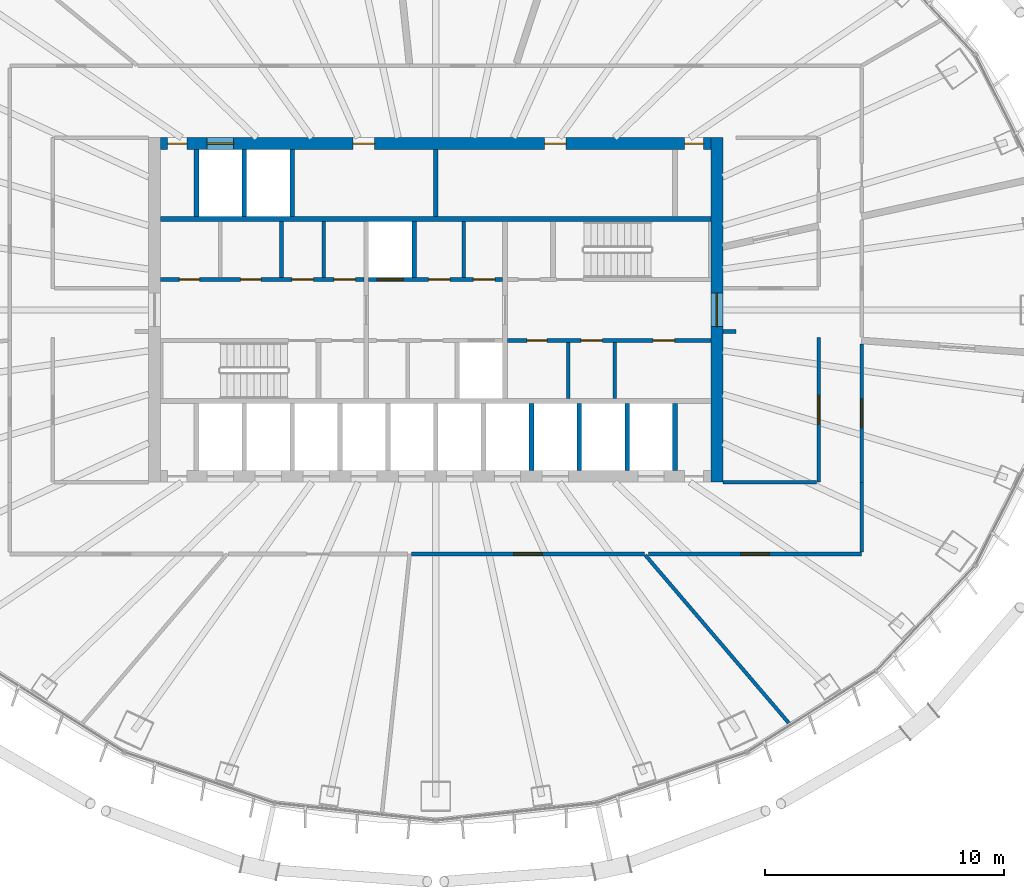
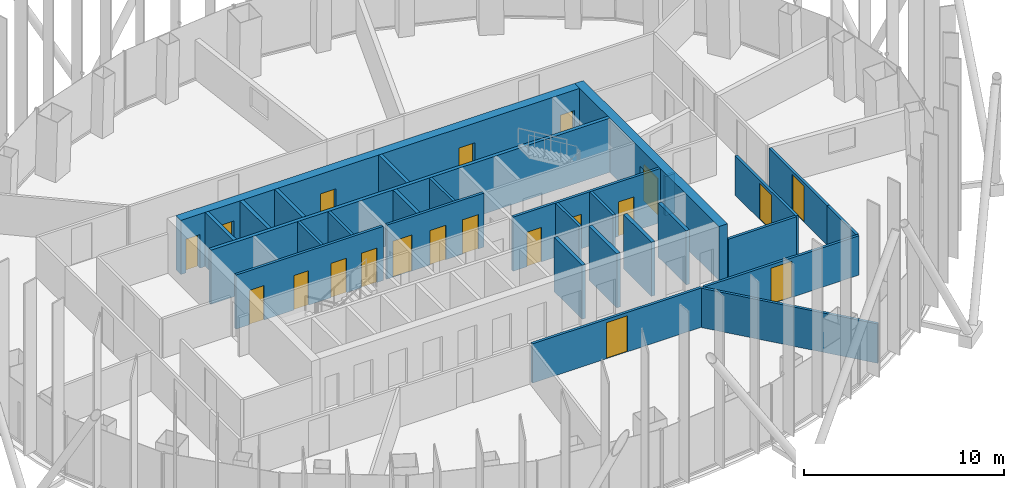
# One storey, part 9 of 19: 28 walls, 20 doors, 20 openings.
"""IFC4 building model written with IfcOpenShell, lengths in metres."""

import ifcopenshell
import ifcopenshell.guid

model = None  # the IFC model being written
_history = None  # IfcOwnerHistory: only IFC2X3 demands one
_inside = {}  # id of a spatial element -> (the spatial element, [elements in it])
_under = {}  # id of a project, library or spatial element -> (it, [spatial elements below it])
_declared = {}  # id of a project -> (the project, [libraries it declares])
_typed = {}  # id of a type object -> (the type object, [elements of that type])
_made_of = {}  # id of a material, layer set ... -> (it, [elements and type objects made of it])


def new_model(schema):
    """Start an empty IFC model of exactly this schema.

    Asked for "IFC4X3", IfcOpenShell would pick the latest addendum, in which some entities
    have other attributes; the version numbers below select the first issue.
    IFC2X3 requires an IfcOwnerHistory on every rooted entity: one is made here for all.
    """
    global model, _history
    if schema == "IFC4X3":
        model = ifcopenshell.file(schema_version=(4, 3, 0, 0))
    else:
        model = ifcopenshell.file(schema=schema)
    _inside.clear()
    _under.clear()
    _declared.clear()
    _typed.clear()
    _made_of.clear()
    _history = None
    if model.schema == "IFC2X3":
        org = make("IfcOrganization", Name="unknown")
        user = make(
            "IfcPersonAndOrganization",
            ThePerson=make("IfcPerson", FamilyName="unknown"),
            TheOrganization=org,
        )
        app = make(
            "IfcApplication",
            ApplicationDeveloper=org,
            Version="unknown",
            ApplicationFullName="unknown",
            ApplicationIdentifier="unknown",
        )
        _history = make(
            "IfcOwnerHistory",
            OwningUser=user,
            OwningApplication=app,
            ChangeAction="ADDED",
            CreationDate=0,
        )
    return model


def make(cls, **values):
    """One entity of the class cls with the attributes given. An attribute that is None is left unset."""
    return model.create_entity(
        cls, **{name: value for name, value in values.items() if value is not None}
    )


def rooted(cls, **values):
    """An entity with a GlobalId (a new one), such as an element, a storey or a relation."""
    return make(cls, GlobalId=ifcopenshell.guid.new(), OwnerHistory=_history, **values)


def si_unit(unit_type, name, prefix=None):
    """IfcSIUnit, for example si_unit("LENGTHUNIT", "METRE", prefix="MILLI")."""
    return make("IfcSIUnit", UnitType=unit_type, Prefix=prefix, Name=name)


def assignment(units):
    """IfcUnitAssignment: the units of a project."""
    return None if units is None else make("IfcUnitAssignment", Units=units)


def point(xyz):
    """IfcCartesianPoint."""
    return None if xyz is None else make("IfcCartesianPoint", Coordinates=xyz)


def direction(xyz):
    """IfcDirection."""
    return None if xyz is None else make("IfcDirection", DirectionRatios=xyz)


def frame(location, z_axis=None, x_axis=None):
    """IfcAxis2Placement3D, a coordinate frame: its origin and axes. An axis left out is left unset."""
    return make(
        "IfcAxis2Placement3D",
        Location=point(location),
        Axis=direction(z_axis),
        RefDirection=direction(x_axis),
    )


def frame_2d(location, x_axis=None):
    """IfcAxis2Placement2D, a coordinate frame in the plane: its origin and x axis."""
    return make(
        "IfcAxis2Placement2D", Location=point(location), RefDirection=direction(x_axis)
    )


def origin():
    """The frame at (0, 0, 0) with its axes left unset."""
    return frame((0.0, 0.0, 0.0))


def place(relative_to, where):
    """IfcLocalPlacement: puts the frame where relative to a parent placement (None: the world)."""
    return make(
        "IfcLocalPlacement", PlacementRelTo=relative_to, RelativePlacement=where
    )


def context(
    kind, dimensions, precision=None, world=None, true_north=None, identifier=None
):
    """IfcGeometricRepresentationContext, for example the 3D "Model" context."""
    return make(
        "IfcGeometricRepresentationContext",
        ContextIdentifier=identifier,
        ContextType=kind,
        CoordinateSpaceDimension=dimensions,
        Precision=precision,
        WorldCoordinateSystem=world,
        TrueNorth=true_north,
    )


def subcontext(parent, identifier, kind, view, scale=None):
    """IfcGeometricRepresentationSubContext, for example "Body" below "Model"."""
    return make(
        "IfcGeometricRepresentationSubContext",
        ContextIdentifier=identifier,
        ContextType=kind,
        ParentContext=parent,
        TargetScale=scale,
        TargetView=view,
    )


def project(units=None, contexts=None):
    """IfcProject with its units and contexts."""
    return rooted(
        "IfcProject",
        Name="project",
        RepresentationContexts=contexts,
        UnitsInContext=assignment(units),
    )


def spatial(cls, under=None, at=None, **own):
    """A site, building, storey or space (cls), placed at a placement, below another one or the project."""
    s = rooted(cls, ObjectPlacement=at, **own)
    if under is not None:
        _under.setdefault(under.id(), (under, []))[1].append(s)
    return s


def profile(cls, at=None, kind="AREA", **sizes):
    """A parametric profile (cls). Its sizes go by their IFC names, for example OverallWidth=200.0."""
    return make(cls, ProfileType=kind, Position=at, **sizes)


def rectangle(**sizes):
    """IfcRectangleProfileDef."""
    return profile("IfcRectangleProfileDef", **sizes)


def extrude(swept, where, along, depth):
    """IfcExtrudedAreaSolid: the profile swept, set in the frame where, extruded along a direction by depth."""
    return make(
        "IfcExtrudedAreaSolid",
        SweptArea=swept,
        Position=where,
        ExtrudedDirection=direction(along),
        Depth=depth,
    )


def shape(context_of_items, identifier, shape_type, items):
    """IfcShapeRepresentation: the items that make up one representation, for example the "Body"."""
    return make(
        "IfcShapeRepresentation",
        ContextOfItems=context_of_items,
        RepresentationIdentifier=identifier,
        RepresentationType=shape_type,
        Items=items,
    )


def material(Name=None, Category=None):
    """IfcMaterial."""
    return make("IfcMaterial", Name=Name, Category=Category)


def layer(
    of_material, thickness, ventilated=None, Name=None, Category=None, Priority=None
):
    """IfcMaterialLayer: one layer of a wall or slab, of a material (None: an air gap)."""
    return make(
        "IfcMaterialLayer",
        Material=of_material,
        LayerThickness=thickness,
        IsVentilated=ventilated,
        Name=Name,
        Category=Category,
        Priority=Priority,
    )


def layer_set(layers, Name=None):
    """IfcMaterialLayerSet."""
    return make("IfcMaterialLayerSet", MaterialLayers=layers, LayerSetName=Name)


def made_of(thing, what):
    """Note that an element or type object is made of a material, layer set ...; save() writes the relation."""
    if what is not None:
        _made_of.setdefault(what.id(), (what, []))[1].append(thing)
    return thing


def type_object(cls, material=None, **own):
    """A type object (cls), such as IfcWallType, which elements share."""
    return made_of(rooted(cls, **own), material)


def element(
    cls,
    number,
    at=None,
    inside=None,
    cuts=None,
    type_object=None,
    material=None,
    context=None,
    identifier="Body",
    shape_type=None,
    held_by="IfcProductDefinitionShape",
    body=None,
    shapes=None,
    **own,
):
    """One element of the class cls, such as IfcWall. Its Tag is "e" and its number.

    at: its placement. inside: the storey or other place that contains it. cuts: it is an
    opening in that element (IfcRelVoidsElement). A single representation is given by context,
    identifier, shape_type and body (its items); several are given by shapes. held_by: the class
    of the entity that holds the representations. save() writes the other relations.
    """
    e = rooted(cls, Tag="e%d" % number, ObjectPlacement=at, **own)
    if body is not None:
        shapes = [shape(context, identifier, shape_type, body)]
    if shapes is not None:
        e.Representation = make(held_by, Representations=shapes)
    if inside is not None:
        _inside.setdefault(inside.id(), (inside, []))[1].append(e)
    if cuts is not None:
        rooted(
            "IfcRelVoidsElement", RelatingBuildingElement=cuts, RelatedOpeningElement=e
        )
    if type_object is not None:
        _typed.setdefault(type_object.id(), (type_object, []))[1].append(e)
    return made_of(e, material)


def fill(opening, filler):
    """IfcRelFillsElement: the door or window that sits in an opening."""
    return rooted(
        "IfcRelFillsElement",
        RelatingOpeningElement=opening,
        RelatedBuildingElement=filler,
    )


def aggregate(whole, parts):
    """IfcRelAggregates: a whole, such as a stair, and the parts it consists of."""
    return rooted("IfcRelAggregates", RelatingObject=whole, RelatedObjects=parts)


def save(model, path):
    """Write the relations noted so far, then the file.

    IfcRelAggregates (storeys below a building ...), IfcRelContainedInSpatialStructure (elements
    in a storey), IfcRelDefinesByType, IfcRelAssociatesMaterial and IfcRelDeclares: one each for
    every whole, place, type object, material and project.
    """
    for whole, parts in _under.values():
        aggregate(whole, parts)
    for where, things in _inside.values():
        rooted(
            "IfcRelContainedInSpatialStructure",
            RelatedElements=things,
            RelatingStructure=where,
        )
    for kind, things in _typed.values():
        rooted("IfcRelDefinesByType", RelatedObjects=things, RelatingType=kind)
    for what, things in _made_of.values():
        rooted("IfcRelAssociatesMaterial", RelatedObjects=things, RelatingMaterial=what)
    for by, libraries in _declared.values():
        rooted("IfcRelDeclares", RelatingContext=by, RelatedDefinitions=libraries)
    model.write(path)


model = new_model("IFC4")

# Units and contexts
model_context = context("Model", 3, precision=1e-05, world=origin(), true_north=direction((0.0, 1.0)))
body_context = subcontext(model_context, "Body", "Model", "MODEL_VIEW")
ifc_project = project(units=[si_unit("LENGTHUNIT", "METRE"), si_unit("AREAUNIT", "SQUARE_METRE"), si_unit("VOLUMEUNIT", "CUBIC_METRE"), si_unit("PLANEANGLEUNIT", "RADIAN"), si_unit("MASSUNIT", "GRAM", prefix="KILO")], contexts=[model_context])

# Site, building, storey
site_placement = place(None, origin())
site = spatial("IfcSite", under=ifc_project, at=site_placement, CompositionType="ELEMENT")
building_placement = place(site_placement, origin())
building = spatial("IfcBuilding", under=site, at=building_placement, Name="Siaravel Broadcast Tower", CompositionType="ELEMENT")
storey_placement = place(building_placement, frame((0.0, 0.0, 97.10009765625)))
storey = spatial("IfcBuildingStorey", under=building, at=storey_placement, Name="L22", CompositionType="ELEMENT", Elevation=97.10009765625)

# Walls
ifc_material_1 = material(Name="Concrete blockwork", Category="masonry")
ifc_layer_1 = layer(ifc_material_1, 0.14990234375)
ifc_layer_set_1 = layer_set([ifc_layer_1], Name="Concrete blockwork")
wall_type_1 = type_object("IfcWallType", Name="Core partition 150", PredefinedType="PARTITIONING", material=ifc_layer_set_1)
for number, where, z_axis, x_axis, name in (
    (1, (-6.445068359375, 1.35009765625, 0.0), (0.0, 0.0, 1.0), (0.0, 1.0, 0.0), "L22 core partition PNW1"),
    (2, (-4.68505859375, 1.35009765625, 0.0), (0.0, 0.0, 1.0), (0.0, 1.0, 0.0), "L22 core partition PNW2"),
    (3, (5.534912109375, -3.699951171875, 0.0), (0.0, 0.0, 1.0), (0.0, 1.0, 0.0), "L22 core partition PSE0"),
    (4, (7.489013671875, -3.699951171875, 0.0), (0.0, 0.0, 1.0), (0.0, 1.0, 0.0), "L22 core partition PSE1"),
    (5, (1.172607421875, 1.35009765625, 0.0), (0.0, 0.0, 1.0), (0.0, 1.0, 0.0), "L22 core partition PNM0"),
):
    element("IfcWall", number, at=place(storey_placement, frame(where, z_axis=z_axis, x_axis=x_axis)), inside=storey, type_object=wall_type_1, Name=name, PredefinedType="PARTITIONING", context=body_context, shape_type="SweptSolid", body=[
        extrude(rectangle(XDim=2.349853515625, YDim=0.14990234375, at=frame_2d((1.1748046875, 0.0))), origin(), (0.0, 0.0, 1.0), 3.2998046875),
    ])
ifc_layer_2 = layer(ifc_material_1, 0.199951171875)
ifc_layer_set_2 = layer_set([ifc_layer_2], Name="Concrete blockwork")
wall_type_2 = type_object("IfcWallType", Name="Core partition 200", PredefinedType="PARTITIONING", material=ifc_layer_set_2)
wall_1_placement = place(storey_placement, frame((0.0, 3.89990234375, 0.0), z_axis=(0.0, 0.0, 1.0), x_axis=(0.0, 1.0, 0.0)))
element("IfcWall", 6, at=wall_1_placement, inside=storey, type_object=wall_type_2, Name="L22 core partition PFN2", PredefinedType="PARTITIONING", context=body_context, shape_type="SweptSolid", body=[
    extrude(rectangle(XDim=2.800048828125, YDim=0.199951171875, at=frame_2d((1.39990234375, 0.0))), origin(), (0.0, 0.0, 1.0), 3.2998046875),
])

# Wall, opening, door
ifc_material_2 = material(Name="Concrete C60/75", Category="concrete")
ifc_layer_3 = layer(ifc_material_2, 0.5)
ifc_layer_set_3 = layer_set([ifc_layer_3], Name="Concrete C60/75")
wall_type_3 = type_object("IfcWallType", Name="Core wall 500", PredefinedType="SHEAR", material=ifc_layer_set_3)
wall_2_placement = place(storey_placement, frame((11.75, -7.199951171875, 0.0), z_axis=(0.0, 0.0, 1.0), x_axis=(0.0, 1.0, 0.0)))
wall_2 = element("IfcWall", 7, at=wall_2_placement, inside=storey, type_object=wall_type_3, Name="L22 core wall OE", PredefinedType="SHEAR", context=body_context, shape_type="SweptSolid", body=[
    extrude(rectangle(XDim=14.39990234375, YDim=0.5, at=frame_2d((7.199951171875, 0.0))), origin(), (0.0, 0.0, 1.0), 3.2998046875),
])
opening_1_placement = place(wall_2_placement, frame((6.5, 0.0, 0.0)))
opening_1 = element("IfcOpeningElement", 8, at=opening_1_placement, cuts=wall_2, Name="Opening L22-DX-E", PredefinedType="OPENING", context=body_context, shape_type="SweptSolid", body=[
    extrude(rectangle(XDim=1.39990234375, YDim=2.199951171875, at=frame_2d((0.699951171875, 1.10009765625))), frame((0.0, 0.260009765625, 0.0), z_axis=(0.0, -1.0, 0.0), x_axis=(1.0, 0.0, 0.0)), (0.0, 0.0, 1.0), 0.52001953125),
])
ifc_material_3 = material(Name="Steel", Category="steel")
door_type_1 = type_object("IfcDoorType", Name="Core exit door 1400", OperationType="DOUBLE_DOOR_SINGLE_SWING", PredefinedType="DOOR", material=ifc_material_3)
door_1_placement = place(opening_1_placement, origin())
door_1 = element("IfcDoor", 9, at=door_1_placement, inside=storey, type_object=door_type_1, Name="L22 door DX-E", OperationType="DOUBLE_DOOR_SINGLE_SWING", OverallHeight=2.199951171875, OverallWidth=1.39990234375, PredefinedType="DOOR", context=body_context, shape_type="SweptSolid", body=[
    extrude(rectangle(XDim=1.39990234375, YDim=2.199951171875, at=frame_2d((0.699951171875, 1.10009765625))), frame((0.0, 0.02490234375, 0.0), z_axis=(0.0, -1.0, 0.0), x_axis=(1.0, 0.0, 0.0)), (0.0, 0.0, 1.0), 0.050048828125),
])
fill(opening_1, door_1)

# Wall, openings, doors
wall_3_placement = place(storey_placement, frame((-11.5, 6.949951171875, 0.0), z_axis=(0.0, 0.0, 1.0), x_axis=(1.0, 0.0, 0.0)))
wall_3 = element("IfcWall", 10, at=wall_3_placement, inside=storey, type_object=wall_type_3, Name="L22 core wall ON", PredefinedType="SHEAR", context=body_context, shape_type="SweptSolid", body=[
    extrude(rectangle(XDim=23.0, YDim=0.5, at=frame_2d((11.5, 0.0))), origin(), (0.0, 0.0, 1.0), 3.2998046875),
])
opening_2_placement = place(wall_3_placement, frame((1.949951171875, 0.0, 0.0)))
opening_2 = element("IfcOpeningElement", 11, at=opening_2_placement, cuts=wall_3, Name="Opening LD-SV2-L22", PredefinedType="OPENING", context=body_context, shape_type="SweptSolid", body=[
    extrude(rectangle(XDim=1.10009765625, YDim=2.199951171875, at=frame_2d((0.550048828125, 1.10009765625))), frame((0.0, 0.260009765625, 0.0), z_axis=(0.0, -1.0, 0.0), x_axis=(1.0, 0.0, 0.0)), (0.0, 0.0, 1.0), 0.52001953125),
])
opening_3_placement = place(wall_3_placement, frame((8.050048828125, 0.0, 0.0)))
opening_3 = element("IfcOpeningElement", 12, at=opening_3_placement, cuts=wall_3, Name="Opening L22-DFN2", PredefinedType="OPENING", context=body_context, shape_type="SweptSolid", body=[
    extrude(rectangle(XDim=0.89990234375, YDim=2.10009765625, at=frame_2d((0.449951171875, 1.050048828125))), frame((0.0, 0.260009765625, 0.0), z_axis=(0.0, -1.0, 0.0), x_axis=(1.0, 0.0, 0.0)), (0.0, 0.0, 1.0), 0.52001953125),
])
opening_4_placement = place(wall_3_placement, frame((16.050048828125, 0.0, 0.0)))
opening_4 = element("IfcOpeningElement", 13, at=opening_4_placement, cuts=wall_3, Name="Opening L22-DFN5", PredefinedType="OPENING", context=body_context, shape_type="SweptSolid", body=[
    extrude(rectangle(XDim=0.89990234375, YDim=2.10009765625, at=frame_2d((0.449951171875, 1.050048828125))), frame((0.0, 0.260009765625, 0.0), z_axis=(0.0, -1.0, 0.0), x_axis=(1.0, 0.0, 0.0)), (0.0, 0.0, 1.0), 0.52001953125),
])
opening_5_placement = place(wall_3_placement, frame((0.300048828125, 0.0, 0.0)))
opening_5 = element("IfcOpeningElement", 14, at=opening_5_placement, cuts=wall_3, Name="Opening L22-DRNW", PredefinedType="OPENING", context=body_context, shape_type="SweptSolid", body=[
    extrude(rectangle(XDim=0.800048828125, YDim=2.050048828125, at=frame_2d((0.39990234375, 1.02490234375))), frame((0.0, 0.260009765625, 0.0), z_axis=(0.0, -1.0, 0.0), x_axis=(1.0, 0.0, 0.0)), (0.0, 0.0, 1.0), 0.52001953125),
])
opening_6_placement = place(wall_3_placement, frame((21.89990234375, 0.0, 0.0)))
opening_6 = element("IfcOpeningElement", 15, at=opening_6_placement, cuts=wall_3, Name="Opening L22-DRNE", PredefinedType="OPENING", context=body_context, shape_type="SweptSolid", body=[
    extrude(rectangle(XDim=0.800048828125, YDim=2.050048828125, at=frame_2d((0.39990234375, 1.02490234375))), frame((0.0, 0.260009765625, 0.0), z_axis=(0.0, -1.0, 0.0), x_axis=(1.0, 0.0, 0.0)), (0.0, 0.0, 1.0), 0.52001953125),
])
ifc_material_4 = material(Name="Timber veneer", Category="wood")
door_type_2 = type_object("IfcDoorType", Name="Core room door 900", OperationType="SINGLE_SWING_LEFT", PredefinedType="DOOR", material=ifc_material_4)
door_2_placement = place(opening_3_placement, origin())
door_2 = element("IfcDoor", 16, at=door_2_placement, inside=storey, type_object=door_type_2, Name="L22 door DFN2", OperationType="SINGLE_SWING_LEFT", OverallHeight=2.10009765625, OverallWidth=0.89990234375, PredefinedType="DOOR", context=body_context, shape_type="SweptSolid", body=[
    extrude(rectangle(XDim=0.89990234375, YDim=2.10009765625, at=frame_2d((0.449951171875, 1.050048828125))), frame((0.0, 0.02490234375, 0.0), z_axis=(0.0, -1.0, 0.0), x_axis=(1.0, 0.0, 0.0)), (0.0, 0.0, 1.0), 0.050048828125),
])
fill(opening_3, door_2)
door_3_placement = place(opening_4_placement, origin())
door_3 = element("IfcDoor", 17, at=door_3_placement, inside=storey, type_object=door_type_2, Name="L22 door DFN5", OperationType="SINGLE_SWING_LEFT", OverallHeight=2.10009765625, OverallWidth=0.89990234375, PredefinedType="DOOR", context=body_context, shape_type="SweptSolid", body=[
    extrude(rectangle(XDim=0.89990234375, YDim=2.10009765625, at=frame_2d((0.449951171875, 1.050048828125))), frame((0.0, 0.02490234375, 0.0), z_axis=(0.0, -1.0, 0.0), x_axis=(1.0, 0.0, 0.0)), (0.0, 0.0, 1.0), 0.050048828125),
])
fill(opening_4, door_3)
door_type_3 = type_object("IfcDoorType", Name="Riser door 800", OperationType="SINGLE_SWING_LEFT", PredefinedType="DOOR", material=ifc_material_3)
door_4_placement = place(opening_5_placement, origin())
door_4 = element("IfcDoor", 18, at=door_4_placement, inside=storey, type_object=door_type_3, Name="L22 door DRNW", OperationType="SINGLE_SWING_LEFT", OverallHeight=2.050048828125, OverallWidth=0.800048828125, PredefinedType="DOOR", context=body_context, shape_type="SweptSolid", body=[
    extrude(rectangle(XDim=0.800048828125, YDim=2.050048828125, at=frame_2d((0.39990234375, 1.02490234375))), frame((0.0, 0.02490234375, 0.0), z_axis=(0.0, -1.0, 0.0), x_axis=(1.0, 0.0, 0.0)), (0.0, 0.0, 1.0), 0.050048828125),
])
fill(opening_5, door_4)
door_5_placement = place(opening_6_placement, origin())
door_5 = element("IfcDoor", 19, at=door_5_placement, inside=storey, type_object=door_type_3, Name="L22 door DRNE", OperationType="SINGLE_SWING_LEFT", OverallHeight=2.050048828125, OverallWidth=0.800048828125, PredefinedType="DOOR", context=body_context, shape_type="SweptSolid", body=[
    extrude(rectangle(XDim=0.800048828125, YDim=2.050048828125, at=frame_2d((0.39990234375, 1.02490234375))), frame((0.0, 0.02490234375, 0.0), z_axis=(0.0, -1.0, 0.0), x_axis=(1.0, 0.0, 0.0)), (0.0, 0.0, 1.0), 0.050048828125),
])
fill(opening_6, door_5)
ifc_material_5 = material(Name="Stainless steel 316L", Category="steel")
door_type_4 = type_object("IfcDoorType", Name="Service lift landing door 1100", OperationType="DOUBLE_DOOR_SLIDING", PredefinedType="DOOR", material=ifc_material_5)
door_6_placement = place(opening_2_placement, origin())
door_6 = element("IfcDoor", 20, at=door_6_placement, inside=storey, type_object=door_type_4, Name="Landing door SV2 L22", OperationType="DOUBLE_DOOR_SLIDING", OverallHeight=2.199951171875, OverallWidth=1.10009765625, PredefinedType="DOOR", context=body_context, shape_type="SweptSolid", body=[
    extrude(rectangle(XDim=1.10009765625, YDim=2.199951171875, at=frame_2d((0.550048828125, 1.10009765625))), frame((0.0, 0.02490234375, 0.0), z_axis=(0.0, -1.0, 0.0), x_axis=(1.0, 0.0, 0.0)), (0.0, 0.0, 1.0), 0.050048828125),
])
fill(opening_2, door_6)

ifc_material_6 = material(Name="Gypsum board partition", Category="gypsum")
ifc_layer_4 = layer(ifc_material_6, 0.14990234375)
ifc_layer_set_4 = layer_set([ifc_layer_4], Name="Gypsum board partition")
wall_type_4 = type_object("IfcWallType", Name="Corridor wall 150", PredefinedType="PARTITIONING", material=ifc_layer_set_4)
wall_4_placement = place(storey_placement, frame((3.0, -1.27490234375, 0.0), z_axis=(0.0, 0.0, 1.0), x_axis=(1.0, 0.0, 0.0)))
wall_4 = element("IfcWall", 21, at=wall_4_placement, inside=storey, type_object=wall_type_4, Name="L22 core partition CSE", PredefinedType="PARTITIONING", context=body_context, shape_type="SweptSolid", body=[
    extrude(rectangle(XDim=8.5, YDim=0.14990234375, at=frame_2d((4.25, 0.0))), origin(), (0.0, 0.0, 1.0), 3.2998046875),
])
opening_7_placement = place(wall_4_placement, frame((0.804931640625, 0.0, 0.0)))
opening_7 = element("IfcOpeningElement", 22, at=opening_7_placement, cuts=wall_4, Name="Opening L22-DSE0", PredefinedType="OPENING", context=body_context, shape_type="SweptSolid", body=[
    extrude(rectangle(XDim=0.85009765625, YDim=2.10009765625, at=frame_2d((0.425048828125, 1.050048828125))), frame((0.0, 0.0849609375, 0.0), z_axis=(0.0, -1.0, 0.0), x_axis=(1.0, 0.0, 0.0)), (0.0, 0.0, 1.0), 0.169921875),
])
opening_8_placement = place(wall_4_placement, frame((3.06201171875, 0.0, 0.0)))
opening_8 = element("IfcOpeningElement", 23, at=opening_8_placement, cuts=wall_4, Name="Opening L22-DSE1", PredefinedType="OPENING", context=body_context, shape_type="SweptSolid", body=[
    extrude(rectangle(XDim=0.89990234375, YDim=2.10009765625, at=frame_2d((0.449951171875, 1.050048828125))), frame((0.0, 0.0849609375, 0.0), z_axis=(0.0, -1.0, 0.0), x_axis=(1.0, 0.0, 0.0)), (0.0, 0.0, 1.0), 0.169921875),
])
opening_9_placement = place(wall_4_placement, frame((6.08203125, 0.0, 0.0)))
opening_9 = element("IfcOpeningElement", 24, at=opening_9_placement, cuts=wall_4, Name="Opening L22-DSE2", PredefinedType="OPENING", context=body_context, shape_type="SweptSolid", body=[
    extrude(rectangle(XDim=0.89990234375, YDim=2.10009765625, at=frame_2d((0.449951171875, 1.050048828125))), frame((0.0, 0.0849609375, 0.0), z_axis=(0.0, -1.0, 0.0), x_axis=(1.0, 0.0, 0.0)), (0.0, 0.0, 1.0), 0.169921875),
])
door_7_placement = place(opening_8_placement, origin())
door_7 = element("IfcDoor", 25, at=door_7_placement, inside=storey, type_object=door_type_2, Name="L22 door DSE1", OperationType="SINGLE_SWING_LEFT", OverallHeight=2.10009765625, OverallWidth=0.89990234375, PredefinedType="DOOR", context=body_context, shape_type="SweptSolid", body=[
    extrude(rectangle(XDim=0.89990234375, YDim=2.10009765625, at=frame_2d((0.449951171875, 1.050048828125))), frame((0.0, 0.02490234375, 0.0), z_axis=(0.0, -1.0, 0.0), x_axis=(1.0, 0.0, 0.0)), (0.0, 0.0, 1.0), 0.050048828125),
])
fill(opening_8, door_7)
door_8_placement = place(opening_9_placement, origin())
door_8 = element("IfcDoor", 26, at=door_8_placement, inside=storey, type_object=door_type_2, Name="L22 door DSE2", OperationType="SINGLE_SWING_LEFT", OverallHeight=2.10009765625, OverallWidth=0.89990234375, PredefinedType="DOOR", context=body_context, shape_type="SweptSolid", body=[
    extrude(rectangle(XDim=0.89990234375, YDim=2.10009765625, at=frame_2d((0.449951171875, 1.050048828125))), frame((0.0, 0.02490234375, 0.0), z_axis=(0.0, -1.0, 0.0), x_axis=(1.0, 0.0, 0.0)), (0.0, 0.0, 1.0), 0.050048828125),
])
fill(opening_9, door_8)
door_type_5 = type_object("IfcDoorType", Name="Core toilet door 850", OperationType="SINGLE_SWING_LEFT", PredefinedType="DOOR", material=ifc_material_4)
door_9_placement = place(opening_7_placement, origin())
door_9 = element("IfcDoor", 27, at=door_9_placement, inside=storey, type_object=door_type_5, Name="L22 door DSE0", OperationType="SINGLE_SWING_LEFT", OverallHeight=2.10009765625, OverallWidth=0.85009765625, PredefinedType="DOOR", context=body_context, shape_type="SweptSolid", body=[
    extrude(rectangle(XDim=0.85009765625, YDim=2.10009765625, at=frame_2d((0.425048828125, 1.050048828125))), frame((0.0, 0.02490234375, 0.0), z_axis=(0.0, -1.0, 0.0), x_axis=(1.0, 0.0, 0.0)), (0.0, 0.0, 1.0), 0.050048828125),
])
fill(opening_7, door_9)

wall_5_placement = place(storey_placement, frame((-11.5, 1.27490234375, 0.0), z_axis=(0.0, 0.0, 1.0), x_axis=(1.0, 0.0, 0.0)))
wall_5 = element("IfcWall", 28, at=wall_5_placement, inside=storey, type_object=wall_type_4, Name="L22 core partition CNW", PredefinedType="PARTITIONING", context=body_context, shape_type="SweptSolid", body=[
    extrude(rectangle(XDim=8.5, YDim=0.14990234375, at=frame_2d((4.25, 0.0))), origin(), (0.0, 0.0, 1.0), 3.2998046875),
])
opening_10_placement = place(wall_5_placement, frame((0.782470703125, 0.0, 0.0)))
opening_10 = element("IfcOpeningElement", 29, at=opening_10_placement, cuts=wall_5, Name="Opening L22-DNW0", PredefinedType="OPENING", context=body_context, shape_type="SweptSolid", body=[
    extrude(rectangle(XDim=0.85009765625, YDim=2.10009765625, at=frame_2d((0.425048828125, 1.050048828125))), frame((0.0, 0.0849609375, 0.0), z_axis=(0.0, -1.0, 0.0), x_axis=(1.0, 0.0, 0.0)), (0.0, 0.0, 1.0), 0.169921875),
])
opening_11_placement = place(wall_5_placement, frame((3.347412109375, 0.0, 0.0)))
opening_11 = element("IfcOpeningElement", 30, at=opening_11_placement, cuts=wall_5, Name="Opening L22-DNW1", PredefinedType="OPENING", context=body_context, shape_type="SweptSolid", body=[
    extrude(rectangle(XDim=0.85009765625, YDim=2.10009765625, at=frame_2d((0.425048828125, 1.050048828125))), frame((0.0, 0.0849609375, 0.0), z_axis=(0.0, -1.0, 0.0), x_axis=(1.0, 0.0, 0.0)), (0.0, 0.0, 1.0), 0.169921875),
])
opening_12_placement = place(wall_5_placement, frame((5.485107421875, 0.0, 0.0)))
opening_12 = element("IfcOpeningElement", 31, at=opening_12_placement, cuts=wall_5, Name="Opening L22-DNW2", PredefinedType="OPENING", context=body_context, shape_type="SweptSolid", body=[
    extrude(rectangle(XDim=0.89990234375, YDim=2.10009765625, at=frame_2d((0.449951171875, 1.050048828125))), frame((0.0, 0.0849609375, 0.0), z_axis=(0.0, -1.0, 0.0), x_axis=(1.0, 0.0, 0.0)), (0.0, 0.0, 1.0), 0.169921875),
])
opening_13_placement = place(wall_5_placement, frame((7.2451171875, 0.0, 0.0)))
opening_13 = element("IfcOpeningElement", 32, at=opening_13_placement, cuts=wall_5, Name="Opening L22-DNW3", PredefinedType="OPENING", context=body_context, shape_type="SweptSolid", body=[
    extrude(rectangle(XDim=0.89990234375, YDim=2.10009765625, at=frame_2d((0.449951171875, 1.050048828125))), frame((0.0, 0.0849609375, 0.0), z_axis=(0.0, -1.0, 0.0), x_axis=(1.0, 0.0, 0.0)), (0.0, 0.0, 1.0), 0.169921875),
])
door_10_placement = place(opening_12_placement, origin())
door_10 = element("IfcDoor", 33, at=door_10_placement, inside=storey, type_object=door_type_2, Name="L22 door DNW2", OperationType="SINGLE_SWING_LEFT", OverallHeight=2.10009765625, OverallWidth=0.89990234375, PredefinedType="DOOR", context=body_context, shape_type="SweptSolid", body=[
    extrude(rectangle(XDim=0.89990234375, YDim=2.10009765625, at=frame_2d((0.449951171875, 1.050048828125))), frame((0.0, 0.02490234375, 0.0), z_axis=(0.0, -1.0, 0.0), x_axis=(1.0, 0.0, 0.0)), (0.0, 0.0, 1.0), 0.050048828125),
])
fill(opening_12, door_10)
door_11_placement = place(opening_13_placement, origin())
door_11 = element("IfcDoor", 34, at=door_11_placement, inside=storey, type_object=door_type_2, Name="L22 door DNW3", OperationType="SINGLE_SWING_LEFT", OverallHeight=2.10009765625, OverallWidth=0.89990234375, PredefinedType="DOOR", context=body_context, shape_type="SweptSolid", body=[
    extrude(rectangle(XDim=0.89990234375, YDim=2.10009765625, at=frame_2d((0.449951171875, 1.050048828125))), frame((0.0, 0.02490234375, 0.0), z_axis=(0.0, -1.0, 0.0), x_axis=(1.0, 0.0, 0.0)), (0.0, 0.0, 1.0), 0.050048828125),
])
fill(opening_13, door_11)
door_12_placement = place(opening_10_placement, origin())
door_12 = element("IfcDoor", 35, at=door_12_placement, inside=storey, type_object=door_type_5, Name="L22 door DNW0", OperationType="SINGLE_SWING_LEFT", OverallHeight=2.10009765625, OverallWidth=0.85009765625, PredefinedType="DOOR", context=body_context, shape_type="SweptSolid", body=[
    extrude(rectangle(XDim=0.85009765625, YDim=2.10009765625, at=frame_2d((0.425048828125, 1.050048828125))), frame((0.0, 0.02490234375, 0.0), z_axis=(0.0, -1.0, 0.0), x_axis=(1.0, 0.0, 0.0)), (0.0, 0.0, 1.0), 0.050048828125),
])
fill(opening_10, door_12)
door_13_placement = place(opening_11_placement, origin())
door_13 = element("IfcDoor", 36, at=door_13_placement, inside=storey, type_object=door_type_5, Name="L22 door DNW1", OperationType="SINGLE_SWING_LEFT", OverallHeight=2.10009765625, OverallWidth=0.85009765625, PredefinedType="DOOR", context=body_context, shape_type="SweptSolid", body=[
    extrude(rectangle(XDim=0.85009765625, YDim=2.10009765625, at=frame_2d((0.425048828125, 1.050048828125))), frame((0.0, 0.02490234375, 0.0), z_axis=(0.0, -1.0, 0.0), x_axis=(1.0, 0.0, 0.0)), (0.0, 0.0, 1.0), 0.050048828125),
])
fill(opening_11, door_13)

# Wall, opening, door
wall_6_placement = place(storey_placement, frame((-1.012939453125, -10.199951171875, 0.0), z_axis=(0.0, 0.0, 1.0), x_axis=(1.0, 0.0, 0.0)))
wall_6 = element("IfcWall", 37, at=wall_6_placement, inside=storey, type_object=wall_type_4, Name="L22 partition 6", PredefinedType="PARTITIONING", context=body_context, shape_type="SweptSolid", body=[
    extrude(rectangle(XDim=9.732177734375, YDim=0.14990234375, at=frame_2d((4.8662109375, 0.0))), origin(), (0.0, 0.0, 1.0), 2.39990234375),
])
opening_14_placement = place(wall_6_placement, frame((4.26611328125, 0.0, 0.0)))
opening_14 = element("IfcOpeningElement", 38, at=opening_14_placement, cuts=wall_6, Name="Opening L22-009", PredefinedType="OPENING", context=body_context, shape_type="SweptSolid", body=[
    extrude(rectangle(XDim=1.199951171875, YDim=2.199951171875, at=frame_2d((0.60009765625, 1.10009765625))), frame((0.0, 0.0849609375, 0.0), z_axis=(0.0, -1.0, 0.0), x_axis=(1.0, 0.0, 0.0)), (0.0, 0.0, 1.0), 0.169921875),
])
door_type_6 = type_object("IfcDoorType", Name="Office double door 1200", OperationType="DOUBLE_DOOR_SINGLE_SWING", PredefinedType="DOOR", material=ifc_material_4)
door_14_placement = place(opening_14_placement, origin())
door_14 = element("IfcDoor", 39, at=door_14_placement, inside=storey, type_object=door_type_6, Name="L22 door to Open plan production office", OperationType="DOUBLE_DOOR_SINGLE_SWING", OverallHeight=2.199951171875, OverallWidth=1.199951171875, PredefinedType="DOOR", context=body_context, shape_type="SweptSolid", body=[
    extrude(rectangle(XDim=1.199951171875, YDim=2.199951171875, at=frame_2d((0.60009765625, 1.10009765625))), frame((0.0, 0.02490234375, 0.0), z_axis=(0.0, -1.0, 0.0), x_axis=(1.0, 0.0, 0.0)), (0.0, 0.0, 1.0), 0.050048828125),
])
fill(opening_14, door_14)

wall_7_placement = place(storey_placement, frame((8.884033203125, -10.199951171875, 0.0), z_axis=(0.0, 0.0, 1.0), x_axis=(1.0, 0.0, 0.0)))
wall_7 = element("IfcWall", 40, at=wall_7_placement, inside=storey, type_object=wall_type_4, Name="L22 partition 10", PredefinedType="PARTITIONING", context=body_context, shape_type="SweptSolid", body=[
    extrude(rectangle(XDim=8.916015625, YDim=0.14990234375, at=frame_2d((4.4580078125, 0.0))), origin(), (0.0, 0.0, 1.0), 2.39990234375),
])
opening_15_placement = place(wall_7_placement, frame((3.85791015625, 0.0, 0.0)))
opening_15 = element("IfcOpeningElement", 41, at=opening_15_placement, cuts=wall_7, Name="Opening L22-011", PredefinedType="OPENING", context=body_context, shape_type="SweptSolid", body=[
    extrude(rectangle(XDim=1.199951171875, YDim=2.199951171875, at=frame_2d((0.60009765625, 1.10009765625))), frame((0.0, 0.0849609375, 0.0), z_axis=(0.0, -1.0, 0.0), x_axis=(1.0, 0.0, 0.0)), (0.0, 0.0, 1.0), 0.169921875),
])
door_15_placement = place(opening_15_placement, origin())
door_15 = element("IfcDoor", 42, at=door_15_placement, inside=storey, type_object=door_type_6, Name="L22 door to Open plan production office", OperationType="DOUBLE_DOOR_SINGLE_SWING", OverallHeight=2.199951171875, OverallWidth=1.199951171875, PredefinedType="DOOR", context=body_context, shape_type="SweptSolid", body=[
    extrude(rectangle(XDim=1.199951171875, YDim=2.199951171875, at=frame_2d((0.60009765625, 1.10009765625))), frame((0.0, 0.02490234375, 0.0), z_axis=(0.0, -1.0, 0.0), x_axis=(1.0, 0.0, 0.0)), (0.0, 0.0, 1.0), 0.050048828125),
])
fill(opening_15, door_15)

wall_8_placement = place(storey_placement, frame((16.0, -1.146484375, 0.0), z_axis=(0.0, 0.0, 1.0), x_axis=(0.0, -1.0, 0.0)))
wall_8 = element("IfcWall", 43, at=wall_8_placement, inside=storey, type_object=wall_type_4, Name="L22 partition 19", PredefinedType="PARTITIONING", context=body_context, shape_type="SweptSolid", body=[
    extrude(rectangle(XDim=6.053466796875, YDim=0.14990234375, at=frame_2d((3.02685546875, 0.0))), origin(), (0.0, 0.0, 1.0), 2.39990234375),
])
opening_16_placement = place(wall_8_placement, frame((2.4267578125, 0.0, 0.0)))
opening_16 = element("IfcOpeningElement", 44, at=opening_16_placement, cuts=wall_8, Name="Opening L22-010", PredefinedType="OPENING", context=body_context, shape_type="SweptSolid", body=[
    extrude(rectangle(XDim=1.199951171875, YDim=2.199951171875, at=frame_2d((0.60009765625, 1.10009765625))), frame((0.0, 0.0849609375, 0.0), z_axis=(0.0, -1.0, 0.0), x_axis=(1.0, 0.0, 0.0)), (0.0, 0.0, 1.0), 0.169921875),
])
door_16_placement = place(opening_16_placement, origin())
door_16 = element("IfcDoor", 45, at=door_16_placement, inside=storey, type_object=door_type_6, Name="L22 door to Open plan production office", OperationType="DOUBLE_DOOR_SINGLE_SWING", OverallHeight=2.199951171875, OverallWidth=1.199951171875, PredefinedType="DOOR", context=body_context, shape_type="SweptSolid", body=[
    extrude(rectangle(XDim=1.199951171875, YDim=2.199951171875, at=frame_2d((0.60009765625, 1.10009765625))), frame((0.0, 0.02490234375, 0.0), z_axis=(0.0, -1.0, 0.0), x_axis=(1.0, 0.0, 0.0)), (0.0, 0.0, 1.0), 0.050048828125),
])
fill(opening_16, door_16)

wall_9_placement = place(storey_placement, frame((17.800048828125, -7.2119140625, 0.0), z_axis=(0.0, 0.0, 1.0), x_axis=(0.0, 1.0, 0.0)))
wall_9 = element("IfcWall", 46, at=wall_9_placement, inside=storey, type_object=wall_type_4, Name="L22 partition 21", PredefinedType="PARTITIONING", context=body_context, shape_type="SweptSolid", body=[
    extrude(rectangle(XDim=5.78857421875, YDim=0.14990234375, at=frame_2d((2.894287109375, 0.0))), origin(), (0.0, 0.0, 1.0), 2.39990234375),
])
opening_17_placement = place(wall_9_placement, frame((2.294189453125, 0.0, 0.0)))
opening_17 = element("IfcOpeningElement", 47, at=opening_17_placement, cuts=wall_9, Name="Opening L22-012", PredefinedType="OPENING", context=body_context, shape_type="SweptSolid", body=[
    extrude(rectangle(XDim=1.199951171875, YDim=2.199951171875, at=frame_2d((0.60009765625, 1.10009765625))), frame((0.0, 0.0849609375, 0.0), z_axis=(0.0, -1.0, 0.0), x_axis=(1.0, 0.0, 0.0)), (0.0, 0.0, 1.0), 0.169921875),
])
door_17_placement = place(opening_17_placement, origin())
door_17 = element("IfcDoor", 48, at=door_17_placement, inside=storey, type_object=door_type_6, Name="L22 door to Open plan production office", OperationType="DOUBLE_DOOR_SINGLE_SWING", OverallHeight=2.199951171875, OverallWidth=1.199951171875, PredefinedType="DOOR", context=body_context, shape_type="SweptSolid", body=[
    extrude(rectangle(XDim=1.199951171875, YDim=2.199951171875, at=frame_2d((0.60009765625, 1.10009765625))), frame((0.0, 0.02490234375, 0.0), z_axis=(0.0, -1.0, 0.0), x_axis=(1.0, 0.0, 0.0)), (0.0, 0.0, 1.0), 0.050048828125),
])
fill(opening_17, door_17)

# Walls
wall_10_placement = place(storey_placement, frame((15.923095703125, -7.199951171875, 0.0), z_axis=(0.0, 0.0, 1.0), x_axis=(-1.0, 0.0, 0.0)))
element("IfcWall", 49, at=wall_10_placement, inside=storey, type_object=wall_type_4, Name="L22 partition 29", PredefinedType="PARTITIONING", context=body_context, shape_type="SweptSolid", body=[
    extrude(rectangle(XDim=3.923095703125, YDim=0.14990234375, at=frame_2d((1.96142578125, 0.0))), origin(), (0.0, 0.0, 1.0), 2.39990234375),
])
wall_11_placement = place(storey_placement, frame((17.800048828125, -10.123046875, 0.0), z_axis=(0.0, 0.0, 1.0), x_axis=(0.0, 1.0, 0.0)))
element("IfcWall", 50, at=wall_11_placement, inside=storey, type_object=wall_type_4, Name="L22 partition 38", PredefinedType="PARTITIONING", context=body_context, shape_type="SweptSolid", body=[
    extrude(rectangle(XDim=2.91015625, YDim=0.14990234375, at=frame_2d((1.455078125, 0.0))), origin(), (0.0, 0.0, 1.0), 2.39990234375),
])
wall_12_placement = place(storey_placement, frame((12.0, -0.89990234375, 0.0), z_axis=(0.0, 0.0, 1.0), x_axis=(1.0, 0.0, 0.0)))
element("IfcWall", 51, at=wall_12_placement, inside=storey, type_object=wall_type_4, Name="L22 partition 41", PredefinedType="PARTITIONING", context=body_context, shape_type="SweptSolid", body=[
    extrude(rectangle(XDim=0.558837890625, YDim=0.14990234375, at=frame_2d((0.279296875, 0.0))), origin(), (0.0, 0.0, 1.0), 2.39990234375),
])
ifc_layer_5 = layer(ifc_material_6, 0.14990234375)
ifc_layer_set_5 = layer_set([ifc_layer_5], Name="Gypsum board partition")
wall_type_5 = type_object("IfcWallType", Name="Room partition 150", PredefinedType="PARTITIONING", material=ifc_layer_set_5)
wall_13_placement = place(storey_placement, frame((14.828125, -17.34619140625, 0.0), z_axis=(0.0, 0.0, 1.0), x_axis=(-0.649770677, 0.760130296, 0.0)))
element("IfcWall", 52, at=wall_13_placement, inside=storey, type_object=wall_type_5, Name="L22 partition 7", PredefinedType="PARTITIONING", context=body_context, shape_type="SweptSolid", body=[
    extrude(rectangle(XDim=9.34228515625, YDim=0.14990234375, at=frame_2d((4.671142578125, 0.0))), origin(), (0.0, 0.0, 1.0), 2.39990234375),
])

# Wall, openings, doors
ifc_layer_6 = layer(ifc_material_2, 0.14990234375)
ifc_layer_set_6 = layer_set([ifc_layer_6], Name="Concrete C60/75")
wall_type_6 = type_object("IfcWallType", Name="Shaft wall 150", PredefinedType="SHEAR", material=ifc_layer_set_6)
wall_14_placement = place(storey_placement, frame((-2.800048828125, 1.27490234375, 0.0), z_axis=(0.0, 0.0, 1.0), x_axis=(1.0, 0.0, 0.0)))
wall_14 = element("IfcWall", 53, at=wall_14_placement, inside=storey, type_object=wall_type_6, Name="L22 core wall CNM", PredefinedType="SHEAR", context=body_context, shape_type="SweptSolid", body=[
    extrude(rectangle(XDim=5.60009765625, YDim=0.14990234375, at=frame_2d((2.800048828125, 0.0))), origin(), (0.0, 0.0, 1.0), 3.2998046875),
])
opening_18_placement = place(wall_14_placement, frame((0.35009765625, 0.0, 0.0)))
opening_18 = element("IfcOpeningElement", 54, at=opening_18_placement, cuts=wall_14, Name="Opening LD-FL1-L22", PredefinedType="OPENING", context=body_context, shape_type="SweptSolid", body=[
    extrude(rectangle(XDim=1.10009765625, YDim=2.199951171875, at=frame_2d((0.550048828125, 1.10009765625))), frame((0.0, 0.0849609375, 0.0), z_axis=(0.0, -1.0, 0.0), x_axis=(1.0, 0.0, 0.0)), (0.0, 0.0, 1.0), 0.169921875),
])
opening_19_placement = place(wall_14_placement, frame((2.498779296875, 0.0, 0.0)))
opening_19 = element("IfcOpeningElement", 55, at=opening_19_placement, cuts=wall_14, Name="Opening L22-DNM0", PredefinedType="OPENING", context=body_context, shape_type="SweptSolid", body=[
    extrude(rectangle(XDim=0.89990234375, YDim=2.10009765625, at=frame_2d((0.449951171875, 1.050048828125))), frame((0.0, 0.0849609375, 0.0), z_axis=(0.0, -1.0, 0.0), x_axis=(1.0, 0.0, 0.0)), (0.0, 0.0, 1.0), 0.169921875),
])
opening_20_placement = place(wall_14_placement, frame((4.373779296875, 0.0, 0.0)))
opening_20 = element("IfcOpeningElement", 56, at=opening_20_placement, cuts=wall_14, Name="Opening L22-DNM1", PredefinedType="OPENING", context=body_context, shape_type="SweptSolid", body=[
    extrude(rectangle(XDim=0.89990234375, YDim=2.10009765625, at=frame_2d((0.449951171875, 1.050048828125))), frame((0.0, 0.0849609375, 0.0), z_axis=(0.0, -1.0, 0.0), x_axis=(1.0, 0.0, 0.0)), (0.0, 0.0, 1.0), 0.169921875),
])
door_18_placement = place(opening_19_placement, origin())
door_18 = element("IfcDoor", 57, at=door_18_placement, inside=storey, type_object=door_type_2, Name="L22 door DNM0", OperationType="SINGLE_SWING_LEFT", OverallHeight=2.10009765625, OverallWidth=0.89990234375, PredefinedType="DOOR", context=body_context, shape_type="SweptSolid", body=[
    extrude(rectangle(XDim=0.89990234375, YDim=2.10009765625, at=frame_2d((0.449951171875, 1.050048828125))), frame((0.0, 0.02490234375, 0.0), z_axis=(0.0, -1.0, 0.0), x_axis=(1.0, 0.0, 0.0)), (0.0, 0.0, 1.0), 0.050048828125),
])
fill(opening_19, door_18)
door_19_placement = place(opening_20_placement, origin())
door_19 = element("IfcDoor", 58, at=door_19_placement, inside=storey, type_object=door_type_2, Name="L22 door DNM1", OperationType="SINGLE_SWING_LEFT", OverallHeight=2.10009765625, OverallWidth=0.89990234375, PredefinedType="DOOR", context=body_context, shape_type="SweptSolid", body=[
    extrude(rectangle(XDim=0.89990234375, YDim=2.10009765625, at=frame_2d((0.449951171875, 1.050048828125))), frame((0.0, 0.02490234375, 0.0), z_axis=(0.0, -1.0, 0.0), x_axis=(1.0, 0.0, 0.0)), (0.0, 0.0, 1.0), 0.050048828125),
])
fill(opening_20, door_19)
door_type_7 = type_object("IfcDoorType", Name="Firefighting lift landing door 1100", OperationType="DOUBLE_DOOR_SLIDING", PredefinedType="DOOR", material=ifc_material_5)
door_20_placement = place(opening_18_placement, origin())
door_20 = element("IfcDoor", 59, at=door_20_placement, inside=storey, type_object=door_type_7, Name="Landing door FL1 L22", OperationType="DOUBLE_DOOR_SLIDING", OverallHeight=2.199951171875, OverallWidth=1.10009765625, PredefinedType="DOOR", context=body_context, shape_type="SweptSolid", body=[
    extrude(rectangle(XDim=1.10009765625, YDim=2.199951171875, at=frame_2d((0.550048828125, 1.10009765625))), frame((0.0, 0.02490234375, 0.0), z_axis=(0.0, -1.0, 0.0), x_axis=(1.0, 0.0, 0.0)), (0.0, 0.0, 1.0), 0.050048828125),
])
fill(opening_18, door_20)

# Walls
ifc_layer_7 = layer(ifc_material_2, 0.199951171875)
ifc_layer_set_7 = layer_set([ifc_layer_7], Name="Concrete C60/75")
wall_type_7 = type_object("IfcWallType", Name="Shaft wall 200", PredefinedType="SHEAR", material=ifc_layer_set_7)
wall_15_placement = place(storey_placement, frame((-11.5, 3.800048828125, 0.0), z_axis=(0.0, 0.0, 1.0), x_axis=(1.0, 0.0, 0.0)))
element("IfcWall", 60, at=wall_15_placement, inside=storey, type_object=wall_type_7, Name="L22 core wall BN", PredefinedType="SHEAR", context=body_context, shape_type="SweptSolid", body=[
    extrude(rectangle(XDim=23.0, YDim=0.199951171875, at=frame_2d((11.5, 0.0))), origin(), (0.0, 0.0, 1.0), 3.2998046875),
])
for number, where, z_axis, x_axis, name in (
    (61, (4.0, -6.699951171875, 0.0), (0.0, 0.0, 1.0), (0.0, 1.0, 0.0), "L22 core wall SWS7"),
    (62, (6.0, -6.699951171875, 0.0), (0.0, 0.0, 1.0), (0.0, 1.0, 0.0), "L22 core wall SWS8"),
    (63, (8.0, -6.699951171875, 0.0), (0.0, 0.0, 1.0), (0.0, 1.0, 0.0), "L22 core wall SWS9"),
    (64, (10.0, -6.699951171875, 0.0), (0.0, 0.0, 1.0), (0.0, 1.0, 0.0), "L22 core wall SWS10"),
    (65, (-10.0, 3.89990234375, 0.0), (0.0, 0.0, 1.0), (0.0, 1.0, 0.0), "L22 core wall SWN0"),
    (66, (-8.0, 3.89990234375, 0.0), (0.0, 0.0, 1.0), (0.0, 1.0, 0.0), "L22 core wall SWN1"),
    (67, (-6.0, 3.89990234375, 0.0), (0.0, 0.0, 1.0), (0.0, 1.0, 0.0), "L22 core wall SWN2"),
):
    element("IfcWall", number, at=place(storey_placement, frame(where, z_axis=z_axis, x_axis=x_axis)), inside=storey, type_object=wall_type_7, Name=name, PredefinedType="SHEAR", context=body_context, shape_type="SweptSolid", body=[
        extrude(rectangle(XDim=2.800048828125, YDim=0.199951171875, at=frame_2d((1.39990234375, 0.0))), origin(), (0.0, 0.0, 1.0), 3.2998046875),
    ])
wall_16_placement = place(storey_placement, frame((-0.89990234375, 1.35009765625, 0.0), z_axis=(0.0, 0.0, 1.0), x_axis=(0.0, 1.0, 0.0)))
element("IfcWall", 68, at=wall_16_placement, inside=storey, type_object=wall_type_7, Name="L22 core wall FF1E", PredefinedType="SHEAR", context=body_context, shape_type="SweptSolid", body=[
    extrude(rectangle(XDim=2.349853515625, YDim=0.199951171875, at=frame_2d((1.1748046875, 0.0))), origin(), (0.0, 0.0, 1.0), 3.2998046875),
])

save(model, "model.ifc")
